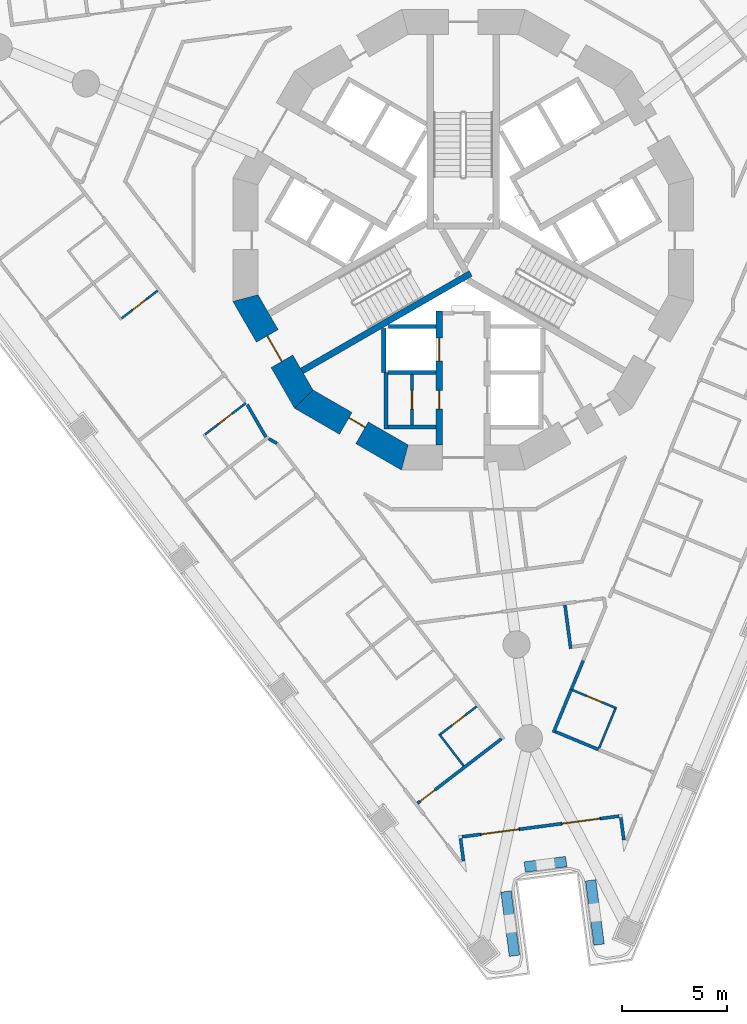
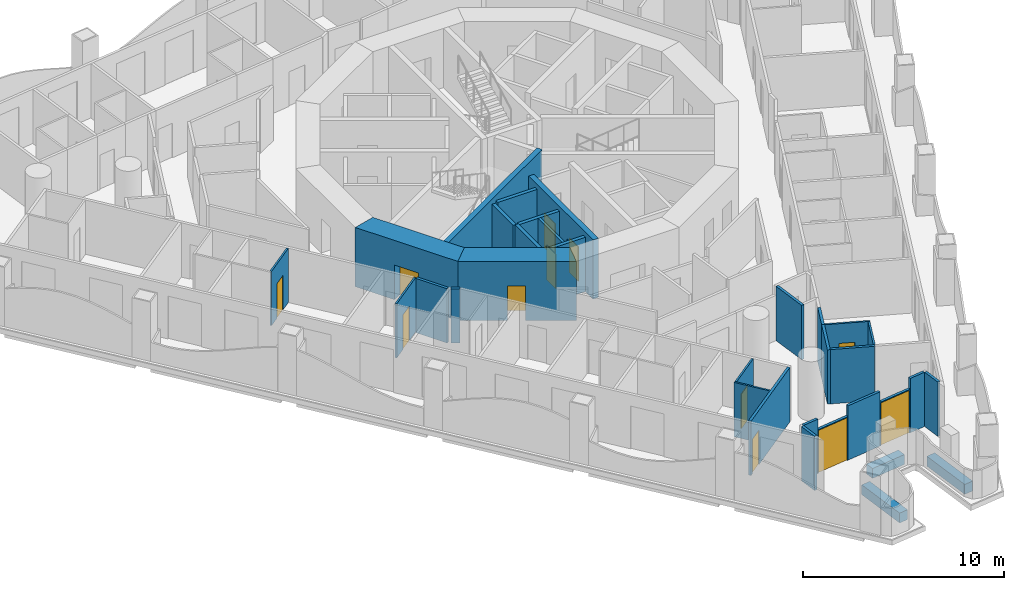
# One storey, part 3 of 19: 33 walls, 12 doors, 12 openings.
"""IFC4 building model written with IfcOpenShell, lengths in metres."""

from ifc_helpers import new_model, si_unit, direction, frame, frame_2d, origin, place, context, subcontext, project, spatial, polyline, rectangle, outline, extrude, material, layer, layer_set, type_object, element, fill, save


model = new_model("IFC4")

# Units and contexts
model_context = context("Model", 3, precision=1e-05, world=origin(), true_north=direction((0.0, 1.0)))
body_context = subcontext(model_context, "Body", "Model", "MODEL_VIEW")
ifc_project = project(units=[si_unit("LENGTHUNIT", "METRE"), si_unit("AREAUNIT", "SQUARE_METRE"), si_unit("VOLUMEUNIT", "CUBIC_METRE"), si_unit("PLANEANGLEUNIT", "RADIAN"), si_unit("MASSUNIT", "GRAM", prefix="KILO")], contexts=[model_context])

# Site, building, storey
site_placement = place(None, origin())
site = spatial("IfcSite", under=ifc_project, at=site_placement, CompositionType="ELEMENT")
building_placement = place(site_placement, origin())
building = spatial("IfcBuilding", under=site, at=building_placement, Name="Trine Commons Tower", CompositionType="ELEMENT")
storey_placement = place(building_placement, frame((0.0, 0.0, 72.0)))
storey = spatial("IfcBuildingStorey", under=building, at=storey_placement, Name="L17", CompositionType="ELEMENT", Elevation=72.0)

# Wall, opening, door
ifc_material_1 = material(Name="Plasterboard partition on steel studs", Category="steel")
ifc_layer_1 = layer(ifc_material_1, 0.14990234375)
ifc_layer_set_1 = layer_set([ifc_layer_1], Name="Plasterboard partition on steel studs")
wall_type_1 = type_object("IfcWallType", Name="Core room partition 150 mm, EI 60", PredefinedType="PARTITIONING", material=ifc_layer_set_1)
wall_1_placement = place(storey_placement, frame((77.550048828125, 56.050048828125, 0.0), z_axis=(0.0, 0.0, 1.0), x_axis=(0.0, -1.0, 0.0)))
wall_1 = element("IfcWall", 1, at=wall_1_placement, inside=storey, type_object=wall_type_1, Name="Core room partition L17", PredefinedType="PARTITIONING", context=body_context, shape_type="SweptSolid", body=[
    extrude(rectangle(XDim=2.400146484375, YDim=0.14990234375, at=frame_2d((1.2001953125, 0.0))), origin(), (0.0, 0.0, 1.0), 3.300048828125),
])
opening_1_placement = place(wall_1_placement, frame((0.75, 0.0, 0.0)))
opening_1 = element("IfcOpeningElement", 2, at=opening_1_placement, cuts=wall_1, Name="Opening K04.11", PredefinedType="OPENING", context=body_context, shape_type="SweptSolid", body=[
    extrude(rectangle(XDim=0.89990234375, YDim=2.10009765625, at=frame_2d((0.449951171875, 1.050048828125))), frame((0.0, 0.0849609375, 0.0), z_axis=(0.0, -1.0, 0.0), x_axis=(1.0, 0.0, 0.0)), (0.0, 0.0, 1.0), 0.169921875),
])
ifc_material_2 = material(Name="Steel door leaf, fire-rated", Category="steel")
door_type_1 = type_object("IfcDoorType", Name="Core room door, single leaf 900 x 2100, FD30S", OperationType="SINGLE_SWING_LEFT", PredefinedType="DOOR", material=ifc_material_2)
door_1_placement = place(opening_1_placement, frame((0.89990234375, 0.0, 0.0), z_axis=(0.0, 0.0, 1.0), x_axis=(-1.0, 0.0, 0.0)))
door_1 = element("IfcDoor", 3, at=door_1_placement, inside=storey, type_object=door_type_1, Name="Door to Parcel store L17", OperationType="SINGLE_SWING_LEFT", OverallHeight=2.10009765625, OverallWidth=0.89990234375, PredefinedType="DOOR", context=body_context, shape_type="SweptSolid", body=[
    extrude(rectangle(XDim=0.89990234375, YDim=2.10009765625, at=frame_2d((0.449951171875, 1.050048828125))), frame((0.0, 0.02490234375, 0.0), z_axis=(0.0, -1.0, 0.0), x_axis=(1.0, 0.0, 0.0)), (0.0, 0.0, 1.0), 0.050048828125),
])
fill(opening_1, door_1)

# Walls
ifc_material_3 = material(Name="Aluminium-framed insulated wall panel", Category="aluminium")
ifc_layer_2 = layer(ifc_material_3, 0.14990234375)
ifc_layer_set_2 = layer_set([ifc_layer_2], Name="Aluminium-framed insulated wall panel")
wall_type_2 = type_object("IfcWallType", Name="Glazed frame wall 150, EI 60", PredefinedType="SOLIDWALL", material=ifc_layer_set_2)
wall_2_placement = place(storey_placement, frame((87.6953125, 33.6591796875, 0.0), z_axis=(0.0, 0.0, 1.0), x_axis=(-0.130510858064, 0.991446880033, 0.0)))
element("IfcWall", 4, at=wall_2_placement, inside=storey, type_object=wall_type_2, Name="Glazed frame wall R9", PredefinedType="SOLIDWALL", context=body_context, shape_type="SweptSolid", body=[
    extrude(outline(polyline([(0.1494140625, 0.074951171875), (0.1494140625, -0.074951171875), (1.235107421875, -0.074951171875), (1.235107421875, 0.074951171875), (0.1494140625, 0.074951171875)])), origin(), (0.0, 0.0, 1.0), 3.300048828125),
])
wall_3_placement = place(storey_placement, frame((87.55908203125, 34.96240234375, 0.0), z_axis=(0.0, 0.0, 1.0), x_axis=(-0.991465094935, -0.130372410907, 0.0)))
element("IfcWall", 5, at=wall_3_placement, inside=storey, type_object=wall_type_2, Name="Glazed frame wall P3.1", PredefinedType="SOLIDWALL", context=body_context, shape_type="SweptSolid", body=[
    extrude(outline(polyline([(0.110107421875, -0.074951171875), (1.0, -0.074951171875), (1.0, 0.074951171875), (0.110107421875, 0.074951171875), (0.110107421875, -0.074951171875)])), origin(), (0.0, 0.0, 1.0), 3.300048828125),
])

# Wall, opening, door
wall_4_placement = place(storey_placement, frame((86.567626953125, 34.83203125, 0.0), z_axis=(0.0, 0.0, 1.0), x_axis=(-0.991442045538, -0.130547578832, 0.0)))
wall_4 = element("IfcWall", 6, at=wall_4_placement, inside=storey, type_object=wall_type_2, Name="Glazed frame wall P3.2", PredefinedType="SOLIDWALL", context=body_context, shape_type="SweptSolid", body=[
    extrude(outline(polyline([(0.0, -0.074951171875), (1.89990234375, -0.074951171875), (1.89990234375, 0.074951171875), (0.0, 0.074951171875), (0.0, -0.074951171875)])), origin(), (0.0, 0.0, 1.0), 2.64990234375),
])
opening_2_placement = place(wall_4_placement, frame((0.050048828125, 0.0, 0.0)))
opening_2 = element("IfcOpeningElement", 7, at=opening_2_placement, cuts=wall_4, Name="Opening BD-2P3-01", PredefinedType="OPENING", context=body_context, shape_type="SweptSolid", body=[
    extrude(rectangle(XDim=1.800048828125, YDim=2.60009765625, at=frame_2d((0.89990234375, 1.300048828125))), frame((0.0, 0.0849609375, 0.0), z_axis=(0.0, -1.0, 0.0), x_axis=(1.0, 0.0, 0.0)), (0.0, 0.0, 1.0), 0.169921875),
])
ifc_material_4 = material(Name="Anodised aluminium frame with double glazing", Category="aluminium")
door_type_2 = type_object("IfcDoorType", Name="Sliding loggia door 1800x2600", OperationType="SLIDING_TO_LEFT", PredefinedType="DOOR", material=ifc_material_4)
door_2_placement = place(opening_2_placement, origin())
door_2 = element("IfcDoor", 8, at=door_2_placement, inside=storey, type_object=door_type_2, Name="Loggia door P3 1", OperationType="SLIDING_TO_LEFT", OverallHeight=2.60009765625, OverallWidth=1.800048828125, PredefinedType="DOOR", context=body_context, shape_type="SweptSolid", body=[
    extrude(rectangle(XDim=1.800048828125, YDim=2.60009765625, at=frame_2d((0.89990234375, 1.300048828125))), frame((0.0, 0.02490234375, 0.0), z_axis=(0.0, -1.0, 0.0), x_axis=(1.0, 0.0, 0.0)), (0.0, 0.0, 1.0), 0.050048828125),
])
fill(opening_2, door_2)

# Wall
wall_5_placement = place(storey_placement, frame((84.683837890625, 34.583984375, 0.0), z_axis=(0.0, 0.0, 1.0), x_axis=(-0.991449308994, -0.130492404742, 0.0)))
element("IfcWall", 9, at=wall_5_placement, inside=storey, type_object=wall_type_2, Name="Glazed frame wall P3.3", PredefinedType="SOLIDWALL", context=body_context, shape_type="SweptSolid", body=[
    extrude(outline(polyline([(0.0, -0.074951171875), (2.0, -0.074951171875), (2.0, 0.074951171875), (0.0, 0.074951171875), (0.0, -0.074951171875)])), origin(), (0.0, 0.0, 1.0), 3.300048828125),
])

# Wall, opening, door
wall_6_placement = place(storey_placement, frame((82.700927734375, 34.322998046875, 0.0), z_axis=(0.0, 0.0, 1.0), x_axis=(-0.991442045538, -0.130547578832, 0.0)))
wall_6 = element("IfcWall", 10, at=wall_6_placement, inside=storey, type_object=wall_type_2, Name="Glazed frame wall P3.4", PredefinedType="SOLIDWALL", context=body_context, shape_type="SweptSolid", body=[
    extrude(outline(polyline([(0.0, -0.074951171875), (1.89990234375, -0.074951171875), (1.89990234375, 0.074951171875), (0.0, 0.074951171875), (0.0, -0.074951171875)])), origin(), (0.0, 0.0, 1.0), 2.64990234375),
])
opening_3_placement = place(wall_6_placement, frame((0.050048828125, 0.0, 0.0)))
opening_3 = element("IfcOpeningElement", 11, at=opening_3_placement, cuts=wall_6, Name="Opening BD-2P3-02", PredefinedType="OPENING", context=body_context, shape_type="SweptSolid", body=[
    extrude(rectangle(XDim=1.800048828125, YDim=2.60009765625, at=frame_2d((0.89990234375, 1.300048828125))), frame((0.0, 0.0849609375, 0.0), z_axis=(0.0, -1.0, 0.0), x_axis=(1.0, 0.0, 0.0)), (0.0, 0.0, 1.0), 0.169921875),
])
door_3_placement = place(opening_3_placement, origin())
door_3 = element("IfcDoor", 12, at=door_3_placement, inside=storey, type_object=door_type_2, Name="Loggia door P3 2", OperationType="SLIDING_TO_LEFT", OverallHeight=2.60009765625, OverallWidth=1.800048828125, PredefinedType="DOOR", context=body_context, shape_type="SweptSolid", body=[
    extrude(rectangle(XDim=1.800048828125, YDim=2.60009765625, at=frame_2d((0.89990234375, 1.300048828125))), frame((0.0, 0.02490234375, 0.0), z_axis=(0.0, -1.0, 0.0), x_axis=(1.0, 0.0, 0.0)), (0.0, 0.0, 1.0), 0.050048828125),
])
fill(opening_3, door_3)

# Walls
wall_7_placement = place(storey_placement, frame((80.817138671875, 34.074951171875, 0.0), z_axis=(0.0, 0.0, 1.0), x_axis=(-0.991433509034, -0.130612392842, 0.0)))
element("IfcWall", 13, at=wall_7_placement, inside=storey, type_object=wall_type_2, Name="Glazed frame wall P3.5", PredefinedType="SOLIDWALL", context=body_context, shape_type="SweptSolid", body=[
    extrude(outline(polyline([(0.889892578125, 0.074951171875), (0.0, 0.074951171875), (0.0, -0.074951171875), (0.889892578125, -0.074951171875), (0.889892578125, 0.074951171875)])), origin(), (0.0, 0.0, 1.0), 3.300048828125),
])
wall_8_placement = place(storey_placement, frame((79.85595703125, 33.983642578125, 0.0), z_axis=(0.0, 0.0, 1.0), x_axis=(0.130510858064, -0.991446880033, 0.0)))
element("IfcWall", 14, at=wall_8_placement, inside=storey, type_object=wall_type_2, Name="Glazed frame wall R11", PredefinedType="SOLIDWALL", context=body_context, shape_type="SweptSolid", body=[
    extrude(outline(polyline([(0.110107421875, 0.074951171875), (0.110107421875, -0.074951171875), (1.19580078125, -0.074951171875), (1.19580078125, 0.074951171875), (0.110107421875, 0.074951171875)])), origin(), (0.0, 0.0, 1.0), 3.300048828125),
])
ifc_material_5 = material(Name="Planter trough, precast concrete C40/50", Category="concrete")
ifc_layer_3 = layer(ifc_material_5, 0.5)
ifc_layer_set_3 = layer_set([ifc_layer_3], Name="Planter trough, precast concrete C40/50")
wall_type_3 = type_object("IfcWallType", Name="Planter trough 500x600", PredefinedType="PARAPET", material=ifc_layer_set_3)
wall_9_placement = place(storey_placement, frame((86.493408203125, 28.805908203125, 0.0), z_axis=(0.0, 0.0, 1.0), x_axis=(-0.130507484591, 0.9914473241, 0.0)))
element("IfcWall", 15, at=wall_9_placement, inside=storey, type_object=wall_type_3, Name="Planter 7", PredefinedType="PARAPET", context=body_context, shape_type="SweptSolid", body=[
    extrude(rectangle(XDim=3.099853515625, YDim=0.5, at=frame_2d((1.5498046875, 0.0))), origin(), (0.0, 0.0, 1.0), 0.60009765625),
])
wall_10_placement = place(storey_placement, frame((84.922119140625, 32.774658203125, 0.0), z_axis=(0.0, 0.0, 1.0), x_axis=(-0.991433509034, -0.130612392842, 0.0)))
element("IfcWall", 16, at=wall_10_placement, inside=storey, type_object=wall_type_3, Name="Planter 8", PredefinedType="PARAPET", context=body_context, shape_type="SweptSolid", body=[
    extrude(rectangle(XDim=2.0, YDim=0.5, at=frame_2d((1.0, 0.0))), origin(), (0.0, 0.0, 1.0), 0.60009765625),
])
wall_11_placement = place(storey_placement, frame((82.043701171875, 31.3466796875, 0.0), z_axis=(0.0, 0.0, 1.0), x_axis=(0.130574707151, -0.991438473054, 0.0)))
element("IfcWall", 17, at=wall_11_placement, inside=storey, type_object=wall_type_3, Name="Planter 9", PredefinedType="PARAPET", context=body_context, shape_type="SweptSolid", body=[
    extrude(rectangle(XDim=3.10009765625, YDim=0.5, at=frame_2d((1.550048828125, 0.0))), origin(), (0.0, 0.0, 1.0), 0.60009765625),
])

# Wall, opening, door
ifc_material_6 = material(Name="Concrete C80/95", Category="concrete")
ifc_layer_4 = layer(ifc_material_6, 1.199951171875)
ifc_layer_set_4 = layer_set([ifc_layer_4], Name="Concrete C80/95")
wall_type_4 = type_object("IfcWallType", Name="RC shear wall 1200 mm, C80/95", PredefinedType="SHEAR", material=ifc_layer_set_4)
wall_12_placement = place(storey_placement, frame((69.508056640625, 59.849609375, 0.0), z_axis=(0.0, 0.0, 1.0), x_axis=(0.499979111662, -0.866037463336, 0.0)))
wall_12 = element("IfcWall", 18, at=wall_12_placement, inside=storey, type_object=wall_type_4, Name="Core wall CWB-08 L17", PredefinedType="SHEAR", context=body_context, shape_type="SweptSolid", body=[
    extrude(outline(polyline([(0.0, -0.60009765625), (5.901123046875, -0.60009765625), (5.57958984375, 0.60009765625), (0.321533203125, 0.60009765625), (0.0, -0.60009765625)])), origin(), (0.0, 0.0, 1.0), 3.60009765625),
])
opening_4_placement = place(wall_12_placement, frame((2.25048828125, 0.0, 0.0)))
opening_4 = element("IfcOpeningElement", 19, at=opening_4_placement, cuts=wall_12, Name="Opening K04.02", PredefinedType="OPENING", context=body_context, shape_type="SweptSolid", body=[
    extrude(rectangle(XDim=1.39990234375, YDim=2.10009765625, at=frame_2d((0.699951171875, 1.050048828125))), frame((0.0, 0.60986328125, 0.0), z_axis=(0.0, -1.0, 0.0), x_axis=(1.0, 0.0, 0.0)), (0.0, 0.0, 1.0), 1.219970703125),
])
ifc_material_7 = material(Name="Steel door leaves, fire-rated", Category="steel")
door_type_3 = type_object("IfcDoorType", Name="Stair door, double leaf 1400 x 2100, FD90", OperationType="DOUBLE_DOOR_SINGLE_SWING", PredefinedType="DOOR", material=ifc_material_7)
door_4_placement = place(opening_4_placement, origin())
door_4 = element("IfcDoor", 20, at=door_4_placement, inside=storey, type_object=door_type_3, Name="Stair door to Exit stair ST2A L17", OperationType="DOUBLE_DOOR_SINGLE_SWING", OverallHeight=2.10009765625, OverallWidth=1.39990234375, PredefinedType="DOOR", context=body_context, shape_type="SweptSolid", body=[
    extrude(rectangle(XDim=1.39990234375, YDim=2.10009765625, at=frame_2d((0.699951171875, 1.050048828125))), frame((0.0, 0.02490234375, 0.0), z_axis=(0.0, -1.0, 0.0), x_axis=(1.0, 0.0, 0.0)), (0.0, 0.0, 1.0), 0.050048828125),
])
fill(opening_4, door_4)

wall_13_placement = place(storey_placement, frame((72.239013671875, 54.95849609375, 0.0), z_axis=(0.0, 0.0, 1.0), x_axis=(0.866037463336, -0.499979111662, 0.0)))
wall_13 = element("IfcWall", 21, at=wall_13_placement, inside=storey, type_object=wall_type_4, Name="Core wall CWB-09 L17", PredefinedType="SHEAR", context=body_context, shape_type="SweptSolid", body=[
    extrude(outline(polyline([(0.0, -0.60009765625), (5.901123046875, -0.60009765625), (5.57958984375, 0.60009765625), (0.321533203125, 0.60009765625), (0.0, -0.60009765625)])), origin(), (0.0, 0.0, 1.0), 3.60009765625),
])
opening_5_placement = place(wall_13_placement, frame((2.4765625, 0.0, 0.0)))
opening_5 = element("IfcOpeningElement", 22, at=opening_5_placement, cuts=wall_13, Name="Opening K04.15", PredefinedType="OPENING", context=body_context, shape_type="SweptSolid", body=[
    extrude(rectangle(XDim=0.89990234375, YDim=2.10009765625, at=frame_2d((0.449951171875, 1.050048828125))), frame((0.0, 0.60986328125, 0.0), z_axis=(0.0, -1.0, 0.0), x_axis=(1.0, 0.0, 0.0)), (0.0, 0.0, 1.0), 1.219970703125),
])
door_5_placement = place(opening_5_placement, origin())
door_5 = element("IfcDoor", 23, at=door_5_placement, inside=storey, type_object=door_type_1, Name="Door to Cleaner's store L17", OperationType="SINGLE_SWING_LEFT", OverallHeight=2.10009765625, OverallWidth=0.89990234375, PredefinedType="DOOR", context=body_context, shape_type="SweptSolid", body=[
    extrude(rectangle(XDim=0.89990234375, YDim=2.10009765625, at=frame_2d((0.449951171875, 1.050048828125))), frame((0.0, 0.3251953125, 0.0), z_axis=(0.0, -1.0, 0.0), x_axis=(1.0, 0.0, 0.0)), (0.0, 0.0, 1.0), 0.050048828125),
])
fill(opening_5, door_5)

# Wall, openings, doors
ifc_layer_5 = layer(ifc_material_6, 0.300048828125)
ifc_layer_set_5 = layer_set([ifc_layer_5], Name="Concrete C80/95")
wall_type_5 = type_object("IfcWallType", Name="RC shear wall 300 mm, C80/95", PredefinedType="SHEAR", material=ifc_layer_set_5)
wall_14_placement = place(storey_placement, frame((78.85009765625, 59.10009765625, 0.0), z_axis=(0.0, 0.0, 1.0), x_axis=(0.0, -1.0, 0.0)))
wall_14 = element("IfcWall", 24, at=wall_14_placement, inside=storey, type_object=wall_type_5, Name="Core cross wall SWA-03 L17", PredefinedType="SHEAR", context=body_context, shape_type="SweptSolid", body=[
    extrude(rectangle(XDim=6.412109375, YDim=0.300048828125, at=frame_2d((3.2060546875, 0.0))), origin(), (0.0, 0.0, 1.0), 3.60009765625),
])
opening_6_placement = place(wall_14_placement, frame((3.800048828125, 0.0, 0.0)))
opening_6 = element("IfcOpeningElement", 25, at=opening_6_placement, cuts=wall_14, Name="Opening K04.10", PredefinedType="OPENING", context=body_context, shape_type="SweptSolid", body=[
    extrude(rectangle(XDim=0.89990234375, YDim=2.10009765625, at=frame_2d((0.449951171875, 1.050048828125))), frame((0.0, 0.159912109375, 0.0), z_axis=(0.0, -1.0, 0.0), x_axis=(1.0, 0.0, 0.0)), (0.0, 0.0, 1.0), 0.320068359375),
])
opening_7_placement = place(wall_14_placement, frame((1.300048828125, 0.0, 0.0)))
opening_7 = element("IfcOpeningElement", 26, at=opening_7_placement, cuts=wall_14, Name="Opening LD10", PredefinedType="OPENING", context=body_context, shape_type="SweptSolid", body=[
    extrude(rectangle(XDim=1.10009765625, YDim=2.10009765625, at=frame_2d((0.550048828125, 1.050048828125))), frame((0.0, 0.159912109375, 0.0), z_axis=(0.0, -1.0, 0.0), x_axis=(1.0, 0.0, 0.0)), (0.0, 0.0, 1.0), 0.320068359375),
])
door_6_placement = place(opening_6_placement, frame((0.89990234375, 0.0, 0.0), z_axis=(0.0, 0.0, 1.0), x_axis=(-1.0, 0.0, 0.0)))
door_6 = element("IfcDoor", 27, at=door_6_placement, inside=storey, type_object=door_type_1, Name="Door to Comms room L17", OperationType="SINGLE_SWING_RIGHT", OverallHeight=2.10009765625, OverallWidth=0.89990234375, PredefinedType="DOOR", context=body_context, shape_type="SweptSolid", body=[
    extrude(rectangle(XDim=0.89990234375, YDim=2.10009765625, at=frame_2d((0.449951171875, 1.050048828125))), frame((0.0, 0.02490234375, 0.0), z_axis=(0.0, -1.0, 0.0), x_axis=(1.0, 0.0, 0.0)), (0.0, 0.0, 1.0), 0.050048828125),
])
fill(opening_6, door_6)
ifc_material_8 = material(Name="Stainless steel sliding door leaves", Category="steel")
door_type_4 = type_object("IfcDoorType", Name="Lift landing door, centre-opening sliding 1100 x 2100, FD90", OperationType="DOUBLE_DOOR_SLIDING", PredefinedType="DOOR", material=ifc_material_8)
door_7_placement = place(opening_7_placement, origin())
door_7 = element("IfcDoor", 28, at=door_7_placement, inside=storey, type_object=door_type_4, Name="Lift landing door FF2 L17", OperationType="DOUBLE_DOOR_SLIDING", OverallHeight=2.10009765625, OverallWidth=1.10009765625, PredefinedType="DOOR", context=body_context, shape_type="SweptSolid", body=[
    extrude(rectangle(XDim=1.10009765625, YDim=2.10009765625, at=frame_2d((0.550048828125, 1.050048828125))), frame((0.0, 0.02490234375, 0.0), z_axis=(0.0, -1.0, 0.0), x_axis=(1.0, 0.0, 0.0)), (0.0, 0.0, 1.0), 0.050048828125),
])
fill(opening_7, door_7)

# Walls
wall_15_placement = place(storey_placement, frame((80.35400390625, 60.885986328125, 0.0), z_axis=(0.0, 0.0, 1.0), x_axis=(-0.865986456211, -0.50006745311, 0.0)))
element("IfcWall", 29, at=wall_15_placement, inside=storey, type_object=wall_type_5, Name="Core cross wall SWA-14 L17", PredefinedType="SHEAR", context=body_context, shape_type="SweptSolid", body=[
    extrude(rectangle(XDim=9.310791015625, YDim=0.300048828125, at=frame_2d((4.6552734375, 0.0))), origin(), (0.0, 0.0, 1.0), 3.60009765625),
])
ifc_material_9 = material(Name="Fire-rated gypsum shaft wall system")
ifc_layer_6 = layer(ifc_material_9, 0.199951171875)
ifc_layer_set_6 = layer_set([ifc_layer_6], Name="Fire-rated gypsum shaft wall system")
wall_type_6 = type_object("IfcWallType", Name="Shaft wall 200 mm, EI 120", PredefinedType="PARTITIONING", material=ifc_layer_set_6)
wall_16_placement = place(storey_placement, frame((76.199951171875, 58.256103515625, 0.0), z_axis=(0.0, 0.0, 1.0), x_axis=(0.0, -1.0, 0.0)))
element("IfcWall", 30, at=wall_16_placement, inside=storey, type_object=wall_type_6, Name="Shaft wall L17", PredefinedType="PARTITIONING", context=body_context, shape_type="SweptSolid", body=[
    extrude(rectangle(XDim=2.106201171875, YDim=0.199951171875, at=frame_2d((1.05322265625, 0.0))), origin(), (0.0, 0.0, 1.0), 3.300048828125),
])
wall_17_placement = place(storey_placement, frame((76.300048828125, 56.14990234375, 0.0), z_axis=(0.0, 0.0, 1.0), x_axis=(0.0, -1.0, 0.0)))
element("IfcWall", 31, at=wall_17_placement, inside=storey, type_object=wall_type_6, Name="Shaft wall L17", PredefinedType="PARTITIONING", context=body_context, shape_type="SweptSolid", body=[
    extrude(rectangle(XDim=2.699951171875, YDim=0.199951171875, at=frame_2d((1.35009765625, 0.0))), origin(), (0.0, 0.0, 1.0), 3.300048828125),
])
for number, where, z_axis, x_axis, name in (
    (32, (78.699951171875, 53.550048828125, 0.0), (0.0, 0.0, 1.0), (-1.0, 0.0, 0.0), "Shaft wall L17"),
    (33, (78.699951171875, 56.14990234375, 0.0), (0.0, 0.0, 1.0), (-1.0, 0.0, 0.0), "Shaft wall L17"),
):
    element("IfcWall", number, at=place(storey_placement, frame(where, z_axis=z_axis, x_axis=x_axis)), inside=storey, type_object=wall_type_6, Name=name, PredefinedType="PARTITIONING", context=body_context, shape_type="SweptSolid", body=[
        extrude(rectangle(XDim=2.300048828125, YDim=0.199951171875, at=frame_2d((1.14990234375, 0.0))), origin(), (0.0, 0.0, 1.0), 3.300048828125),
    ])
wall_18_placement = place(storey_placement, frame((78.699951171875, 58.35009765625, 0.0), z_axis=(0.0, 0.0, 1.0), x_axis=(-1.0, 0.0, 0.0)))
element("IfcWall", 34, at=wall_18_placement, inside=storey, type_object=wall_type_6, Name="Shaft wall L17", PredefinedType="PARTITIONING", context=body_context, shape_type="SweptSolid", body=[
    extrude(rectangle(XDim=2.264892578125, YDim=0.199951171875, at=frame_2d((1.13232421875, 0.0))), origin(), (0.0, 0.0, 1.0), 3.300048828125),
])
ifc_material_10 = material(Name="Gypsum plasterboard on steel stud", Category="steel")
ifc_layer_7 = layer(ifc_material_10, 0.14990234375)
ifc_layer_set_7 = layer_set([ifc_layer_7], Name="Gypsum plasterboard on steel stud")
wall_type_7 = type_object("IfcWallType", Name="Unit and corridor wall 150 mm, EI 60", PredefinedType="PARTITIONING", material=ifc_layer_set_7)
wall_19_placement = place(storey_placement, frame((69.674072265625, 54.612060546875, 0.0), z_axis=(0.0, 0.0, 1.0), x_axis=(0.499655352634, -0.866224294616, 0.0)))
element("IfcWall", 35, at=wall_19_placement, inside=storey, type_object=wall_type_7, Name="Partition 047", PredefinedType="PARTITIONING", context=body_context, shape_type="SweptSolid", body=[
    extrude(rectangle(XDim=1.784912109375, YDim=0.14990234375, at=frame_2d((0.892578125, 0.0))), origin(), (0.0, 0.0, 1.0), 3.300048828125),
])
wall_20_placement = place(storey_placement, frame((70.701904296875, 52.987548828125, 0.0), z_axis=(0.0, 0.0, 1.0), x_axis=(0.866382612495, -0.499380785339, 0.0)))
element("IfcWall", 36, at=wall_20_placement, inside=storey, type_object=wall_type_7, Name="Partition 052", PredefinedType="PARTITIONING", context=body_context, shape_type="SweptSolid", body=[
    extrude(rectangle(XDim=0.45361328125, YDim=0.14990234375, at=frame_2d((0.226806640625, 0.0))), origin(), (0.0, 0.0, 1.0), 3.300048828125),
])

# Wall, opening, door
wall_21_placement = place(storey_placement, frame((77.810791015625, 35.560302734375, 0.0), z_axis=(0.0, 0.0, 1.0), x_axis=(0.793261664916, 0.60888088406, 0.0)))
wall_21 = element("IfcWall", 37, at=wall_21_placement, inside=storey, type_object=wall_type_7, Name="Partition 072", PredefinedType="PARTITIONING", context=body_context, shape_type="SweptSolid", body=[
    extrude(rectangle(XDim=5.0634765625, YDim=0.14990234375, at=frame_2d((2.53173828125, 0.0))), origin(), (0.0, 0.0, 1.0), 3.300048828125),
])
opening_8_placement = place(wall_21_placement, frame((0.14990234375, 0.0, 0.0)))
opening_8 = element("IfcOpeningElement", 38, at=opening_8_placement, cuts=wall_21, Name="Opening D-2C24", PredefinedType="OPENING", context=body_context, shape_type="SweptSolid", body=[
    extrude(rectangle(XDim=0.89990234375, YDim=2.10009765625, at=frame_2d((0.449951171875, 1.050048828125))), frame((0.0, 0.0849609375, 0.0), z_axis=(0.0, -1.0, 0.0), x_axis=(1.0, 0.0, 0.0)), (0.0, 0.0, 1.0), 0.169921875),
])
ifc_material_11 = material(Name="Timber fire door set", Category="wood")
door_type_5 = type_object("IfcDoorType", Name="Bedroom door 900 x 2100, FD30S", OperationType="NOTDEFINED", PredefinedType="DOOR", material=ifc_material_11)
door_8_placement = place(opening_8_placement, origin())
door_8 = element("IfcDoor", 39, at=door_8_placement, inside=storey, type_object=door_type_5, Name="Door D-2C24", OperationType="SINGLE_SWING_LEFT", OverallHeight=2.10009765625, OverallWidth=0.89990234375, PredefinedType="DOOR", context=body_context, shape_type="SweptSolid", body=[
    extrude(rectangle(XDim=0.89990234375, YDim=2.10009765625, at=frame_2d((0.449951171875, 1.050048828125))), frame((0.0, 0.02490234375, 0.0), z_axis=(0.0, -1.0, 0.0), x_axis=(1.0, 0.0, 0.0)), (0.0, 0.0, 1.0), 0.050048828125),
])
fill(opening_8, door_8)

# Walls
wall_22_placement = place(storey_placement, frame((84.310302734375, 38.941650390625, 0.0), z_axis=(0.0, 0.0, 1.0), x_axis=(0.382789938294, 0.923835409118, 0.0)))
element("IfcWall", 40, at=wall_22_placement, inside=storey, type_object=wall_type_7, Name="Partition 087", PredefinedType="PARTITIONING", context=body_context, shape_type="SweptSolid", body=[
    extrude(rectangle(XDim=2.280029296875, YDim=0.14990234375, at=frame_2d((1.14013671875, 0.0))), origin(), (0.0, 0.0, 1.0), 3.300048828125),
])
wall_23_placement = place(storey_placement, frame((84.408203125, 38.982421875, 0.0), z_axis=(0.0, 0.0, 1.0), x_axis=(0.923765743921, -0.382958026888, 0.0)))
element("IfcWall", 41, at=wall_23_placement, inside=storey, type_object=wall_type_7, Name="Partition 088", PredefinedType="PARTITIONING", context=body_context, shape_type="SweptSolid", body=[
    extrude(rectangle(XDim=2.228759765625, YDim=0.14990234375, at=frame_2d((1.1142578125, 0.0))), origin(), (0.0, 0.0, 1.0), 3.300048828125),
])
wall_24_placement = place(storey_placement, frame((84.86083984375, 45.03759765625, 0.0), z_axis=(0.0, 0.0, 1.0), x_axis=(0.130899564309, -0.991395634479, 0.0)))
element("IfcWall", 42, at=wall_24_placement, inside=storey, type_object=wall_type_7, Name="Partition 090", PredefinedType="PARTITIONING", context=body_context, shape_type="SweptSolid", body=[
    extrude(rectangle(XDim=2.10009765625, YDim=0.14990234375, at=frame_2d((1.050048828125, 0.0))), origin(), (0.0, 0.0, 1.0), 3.300048828125),
])
wall_25_placement = place(storey_placement, frame((85.160888671875, 40.993896484375, 0.0), z_axis=(0.0, 0.0, 1.0), x_axis=(0.382519732759, 0.923947322118, 0.0)))
element("IfcWall", 43, at=wall_25_placement, inside=storey, type_object=wall_type_7, Name="Partition 092", PredefinedType="PARTITIONING", context=body_context, shape_type="SweptSolid", body=[
    extrude(rectangle(XDim=1.498046875, YDim=0.14990234375, at=frame_2d((0.7490234375, 0.0))), origin(), (0.0, 0.0, 1.0), 3.300048828125),
])

# Wall, opening, door
ifc_layer_8 = layer(ifc_material_10, 0.10009765625)
ifc_layer_set_8 = layer_set([ifc_layer_8], Name="Gypsum plasterboard on steel stud")
wall_type_8 = type_object("IfcWallType", Name="Unit partition 100 mm, no rating", PredefinedType="PARTITIONING", material=ifc_layer_set_8)
wall_26_placement = place(storey_placement, frame((63.666748046875, 58.73828125, 0.0), z_axis=(0.0, 0.0, 1.0), x_axis=(0.793203445283, 0.608956726206, 0.0)))
wall_26 = element("IfcWall", 44, at=wall_26_placement, inside=storey, type_object=wall_type_8, Name="Partition 025", PredefinedType="PARTITIONING", context=body_context, shape_type="SweptSolid", body=[
    extrude(rectangle(XDim=2.17578125, YDim=0.10009765625, at=frame_2d((1.087890625, 0.0))), origin(), (0.0, 0.0, 1.0), 3.300048828125),
])
opening_9_placement = place(wall_26_placement, frame((0.68798828125, 0.0, 0.0)))
opening_9 = element("IfcOpeningElement", 45, at=opening_9_placement, cuts=wall_26, Name="Opening D-2C62", PredefinedType="OPENING", context=body_context, shape_type="SweptSolid", body=[
    extrude(rectangle(XDim=0.800048828125, YDim=2.10009765625, at=frame_2d((0.39990234375, 1.050048828125))), frame((0.0, 0.06005859375, 0.0), z_axis=(0.0, -1.0, 0.0), x_axis=(1.0, 0.0, 0.0)), (0.0, 0.0, 1.0), 0.1201171875),
])
ifc_material_12 = material(Name="Painted timber", Category="wood")
door_type_6 = type_object("IfcDoorType", Name="Internal door 800 x 2100, NOT RATED", OperationType="NOTDEFINED", PredefinedType="DOOR", material=ifc_material_12)
door_9_placement = place(opening_9_placement, frame((0.800048828125, 0.0, 0.0), z_axis=(0.0, 0.0, 1.0), x_axis=(-1.0, 0.0, 0.0)))
door_9 = element("IfcDoor", 46, at=door_9_placement, inside=storey, type_object=door_type_6, Name="Door D-2C62", OperationType="SINGLE_SWING_LEFT", OverallHeight=2.10009765625, OverallWidth=0.800048828125, PredefinedType="DOOR", context=body_context, shape_type="SweptSolid", body=[
    extrude(rectangle(XDim=0.800048828125, YDim=2.10009765625, at=frame_2d((0.39990234375, 1.050048828125))), frame((0.0, 0.02490234375, 0.0), z_axis=(0.0, -1.0, 0.0), x_axis=(1.0, 0.0, 0.0)), (0.0, 0.0, 1.0), 0.050048828125),
])
fill(opening_9, door_9)

wall_27_placement = place(storey_placement, frame((67.65478515625, 53.189453125, 0.0), z_axis=(0.0, 0.0, 1.0), x_axis=(0.79352183508, 0.608541779381, 0.0)))
wall_27 = element("IfcWall", 47, at=wall_27_placement, inside=storey, type_object=wall_type_8, Name="Partition 043", PredefinedType="PARTITIONING", context=body_context, shape_type="SweptSolid", body=[
    extrude(rectangle(XDim=2.464111328125, YDim=0.10009765625, at=frame_2d((1.23193359375, 0.0))), origin(), (0.0, 0.0, 1.0), 3.300048828125),
])
opening_10_placement = place(wall_27_placement, frame((0.83203125, 0.0, 0.0)))
opening_10 = element("IfcOpeningElement", 48, at=opening_10_placement, cuts=wall_27, Name="Opening D-2C61", PredefinedType="OPENING", context=body_context, shape_type="SweptSolid", body=[
    extrude(rectangle(XDim=0.800048828125, YDim=2.10009765625, at=frame_2d((0.39990234375, 1.050048828125))), frame((0.0, 0.06005859375, 0.0), z_axis=(0.0, -1.0, 0.0), x_axis=(1.0, 0.0, 0.0)), (0.0, 0.0, 1.0), 0.1201171875),
])
door_10_placement = place(opening_10_placement, origin())
door_10 = element("IfcDoor", 49, at=door_10_placement, inside=storey, type_object=door_type_6, Name="Door D-2C61", OperationType="SINGLE_SWING_LEFT", OverallHeight=2.10009765625, OverallWidth=0.800048828125, PredefinedType="DOOR", context=body_context, shape_type="SweptSolid", body=[
    extrude(rectangle(XDim=0.800048828125, YDim=2.10009765625, at=frame_2d((0.39990234375, 1.050048828125))), frame((0.0, 0.02490234375, 0.0), z_axis=(0.0, -1.0, 0.0), x_axis=(1.0, 0.0, 0.0)), (0.0, 0.0, 1.0), 0.050048828125),
])
fill(opening_10, door_10)

# Wall
wall_28_placement = place(storey_placement, frame((78.845703125, 38.875732421875, 0.0), z_axis=(0.0, 0.0, 1.0), x_axis=(0.608649853766, -0.793438942522, 0.0)))
element("IfcWall", 50, at=wall_28_placement, inside=storey, type_object=wall_type_8, Name="Partition 075", PredefinedType="PARTITIONING", context=body_context, shape_type="SweptSolid", body=[
    extrude(rectangle(XDim=1.925048828125, YDim=0.10009765625, at=frame_2d((0.96240234375, 0.0))), origin(), (0.0, 0.0, 1.0), 3.300048828125),
])

# Wall, opening, door
wall_29_placement = place(storey_placement, frame((78.915771484375, 38.866455078125, 0.0), z_axis=(0.0, 0.0, 1.0), x_axis=(0.793266438723, 0.608874664603, 0.0)))
wall_29 = element("IfcWall", 51, at=wall_29_placement, inside=storey, type_object=wall_type_8, Name="Partition 076", PredefinedType="PARTITIONING", context=body_context, shape_type="SweptSolid", body=[
    extrude(rectangle(XDim=2.174072265625, YDim=0.10009765625, at=frame_2d((1.0869140625, 0.0))), origin(), (0.0, 0.0, 1.0), 3.300048828125),
])
opening_11_placement = place(wall_29_placement, frame((0.687255859375, 0.0, 0.0)))
opening_11 = element("IfcOpeningElement", 52, at=opening_11_placement, cuts=wall_29, Name="Opening D-2C57", PredefinedType="OPENING", context=body_context, shape_type="SweptSolid", body=[
    extrude(rectangle(XDim=0.800048828125, YDim=2.10009765625, at=frame_2d((0.39990234375, 1.050048828125))), frame((0.0, 0.06005859375, 0.0), z_axis=(0.0, -1.0, 0.0), x_axis=(1.0, 0.0, 0.0)), (0.0, 0.0, 1.0), 0.1201171875),
])
door_11_placement = place(opening_11_placement, origin())
door_11 = element("IfcDoor", 53, at=door_11_placement, inside=storey, type_object=door_type_6, Name="Door D-2C57", OperationType="SINGLE_SWING_RIGHT", OverallHeight=2.10009765625, OverallWidth=0.800048828125, PredefinedType="DOOR", context=body_context, shape_type="SweptSolid", body=[
    extrude(rectangle(XDim=0.800048828125, YDim=2.10009765625, at=frame_2d((0.39990234375, 1.050048828125))), frame((0.0, 0.02490234375, 0.0), z_axis=(0.0, -1.0, 0.0), x_axis=(1.0, 0.0, 0.0)), (0.0, 0.0, 1.0), 0.050048828125),
])
fill(opening_11, door_11)

wall_30_placement = place(storey_placement, frame((85.231201171875, 40.96923828125, 0.0), z_axis=(0.0, 0.0, 1.0), x_axis=(0.923931833824, -0.382557141415, 0.0)))
wall_30 = element("IfcWall", 54, at=wall_30_placement, inside=storey, type_object=wall_type_8, Name="Partition 094", PredefinedType="PARTITIONING", context=body_context, shape_type="SweptSolid", body=[
    extrude(rectangle(XDim=2.275146484375, YDim=0.10009765625, at=frame_2d((1.1376953125, 0.0))), origin(), (0.0, 0.0, 1.0), 3.300048828125),
])
opening_12_placement = place(wall_30_placement, frame((0.71240234375, 0.0, 0.0)))
opening_12 = element("IfcOpeningElement", 55, at=opening_12_placement, cuts=wall_30, Name="Opening D-2C56", PredefinedType="OPENING", context=body_context, shape_type="SweptSolid", body=[
    extrude(rectangle(XDim=0.800048828125, YDim=2.10009765625, at=frame_2d((0.39990234375, 1.050048828125))), frame((0.0, 0.06005859375, 0.0), z_axis=(0.0, -1.0, 0.0), x_axis=(1.0, 0.0, 0.0)), (0.0, 0.0, 1.0), 0.1201171875),
])
door_12_placement = place(opening_12_placement, origin())
door_12 = element("IfcDoor", 56, at=door_12_placement, inside=storey, type_object=door_type_6, Name="Door D-2C56", OperationType="SINGLE_SWING_LEFT", OverallHeight=2.10009765625, OverallWidth=0.800048828125, PredefinedType="DOOR", context=body_context, shape_type="SweptSolid", body=[
    extrude(rectangle(XDim=0.800048828125, YDim=2.10009765625, at=frame_2d((0.39990234375, 1.050048828125))), frame((0.0, 0.02490234375, 0.0), z_axis=(0.0, -1.0, 0.0), x_axis=(1.0, 0.0, 0.0)), (0.0, 0.0, 1.0), 0.050048828125),
])
fill(opening_12, door_12)

# Wall
wall_31_placement = place(storey_placement, frame((86.49267578125, 38.2001953125, 0.0), z_axis=(0.0, 0.0, 1.0), x_axis=(0.382646278951, 0.923894921084, 0.0)))
element("IfcWall", 57, at=wall_31_placement, inside=storey, type_object=wall_type_8, Name="Partition 100", PredefinedType="PARTITIONING", context=body_context, shape_type="SweptSolid", body=[
    extrude(rectangle(XDim=2.025634765625, YDim=0.10009765625, at=frame_2d((1.0126953125, 0.0))), origin(), (0.0, 0.0, 1.0), 3.300048828125),
])

save(model, "model.ifc")
